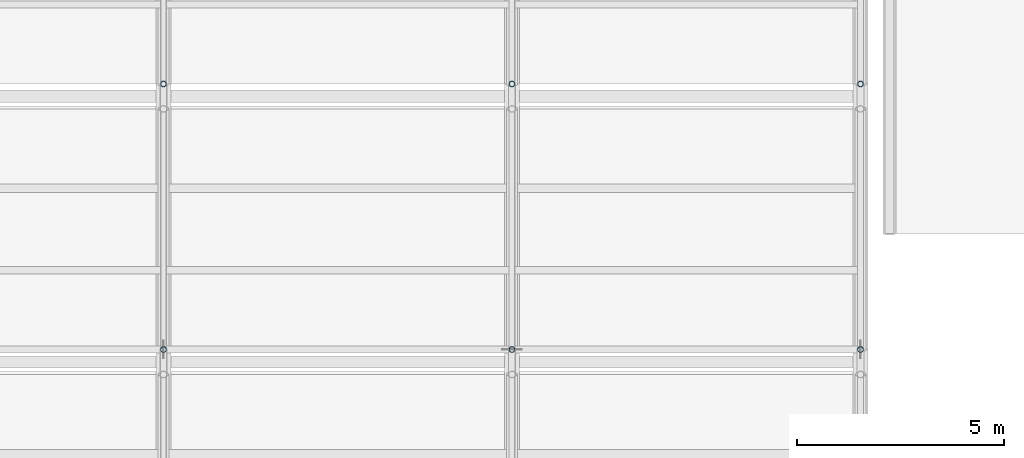
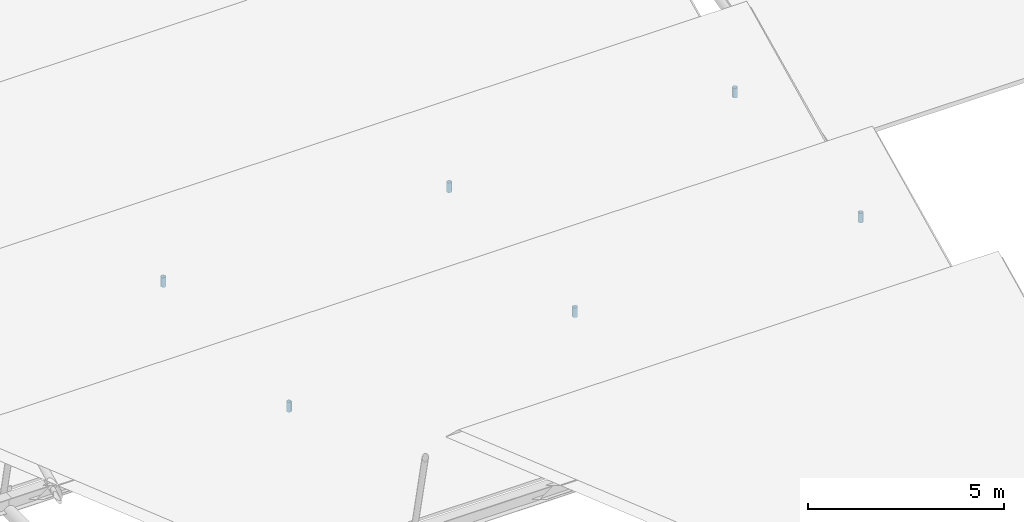
# One storey, part 138 of 194: 6 members.
"""IFC4 building model written with IfcOpenShell, lengths in metres."""

from ifc_helpers import new_model, si_unit, direction, frame, origin, origin_2d, place, context, subcontext, project, spatial, hollow_circle, extrude, material, material_profile, profile_set, type_object, element, save


model = new_model("IFC4")

# Units and contexts
model_context = context("Model", 3, precision=1e-05, world=origin(), true_north=direction((0.0, 1.0)))
body_context = subcontext(model_context, "Body", "Model", "MODEL_VIEW")
ifc_project = project(units=[si_unit("LENGTHUNIT", "METRE"), si_unit("AREAUNIT", "SQUARE_METRE"), si_unit("VOLUMEUNIT", "CUBIC_METRE"), si_unit("PLANEANGLEUNIT", "RADIAN"), si_unit("MASSUNIT", "GRAM", prefix="KILO")], contexts=[model_context])

# Site, building, storey
site_placement = place(None, origin())
site = spatial("IfcSite", under=ifc_project, at=site_placement, CompositionType="ELEMENT")
building_placement = place(site_placement, origin())
building = spatial("IfcBuilding", under=site, at=building_placement, Name="Kazenagashi Tramway Depot", CompositionType="ELEMENT")
storey_placement = place(building_placement, frame((0.0, 0.0, 23.7)))
storey = spatial("IfcBuildingStorey", under=building, at=storey_placement, Name="ROOF", CompositionType="ELEMENT", Elevation=23.7)

# Members
ifc_material = material(Name="Steel STK490", Category="steel")
ifc_material_profile = material_profile(ifc_material, hollow_circle(Radius=0.0699, WallThickness=0.0066, at=origin_2d()), Name="CHS-139.8x6.6")
ifc_profile_set = profile_set([ifc_material_profile], Name="Steel STK490")
member_type = type_object("IfcMemberType", Name="TS-02", PredefinedType="STRUT", material=ifc_profile_set)
for number, where, z_axis, x_axis, name in (
    (1, (128.8, 35.7, -8.9), (0.0, 0.0, 1.0), (1.0, 0.0, 0.0), "Roof Truss TS-02 MEM-1451"),
    (2, (128.8, 42.1, -8.9), (0.0, 0.0, 1.0), (1.0, 0.0, 0.0), "Roof Truss TS-02 MEM-1456"),
    (3, (137.2, 35.7, -8.9), (0.0, 0.0, 1.0), (1.0, 0.0, 0.0), "Roof Truss TS-02 MEM-1480"),
    (4, (137.2, 42.1, -8.9), (0.0, 0.0, 1.0), (1.0, 0.0, 0.0), "Roof Truss TS-02 MEM-1485"),
    (5, (145.6, 35.7, -8.9), (0.0, 0.0, 1.0), (1.0, 0.0, 0.0), "Roof Truss TS-02 MEM-1509"),
    (6, (145.6, 42.1, -8.9), (0.0, 0.0, 1.0), (1.0, 0.0, 0.0), "Roof Truss TS-02 MEM-1514"),
):
    element("IfcMember", number, at=place(storey_placement, frame(where, z_axis=z_axis, x_axis=x_axis)), inside=storey, type_object=member_type, Name=name, PredefinedType="STRUT", context=body_context, shape_type="SweptSolid", body=[
        extrude(hollow_circle(Radius=0.0699, WallThickness=0.0066, at=origin_2d()), origin(), (0.0, 0.0, 1.0), 0.3),
    ])

save(model, "model.ifc")
